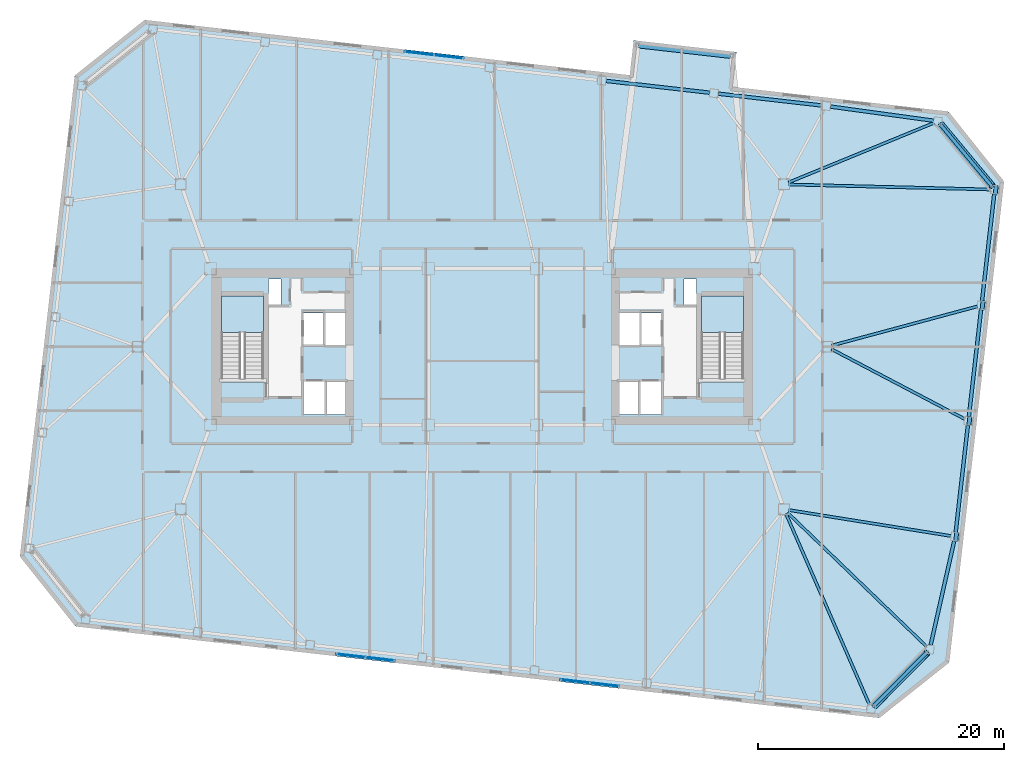
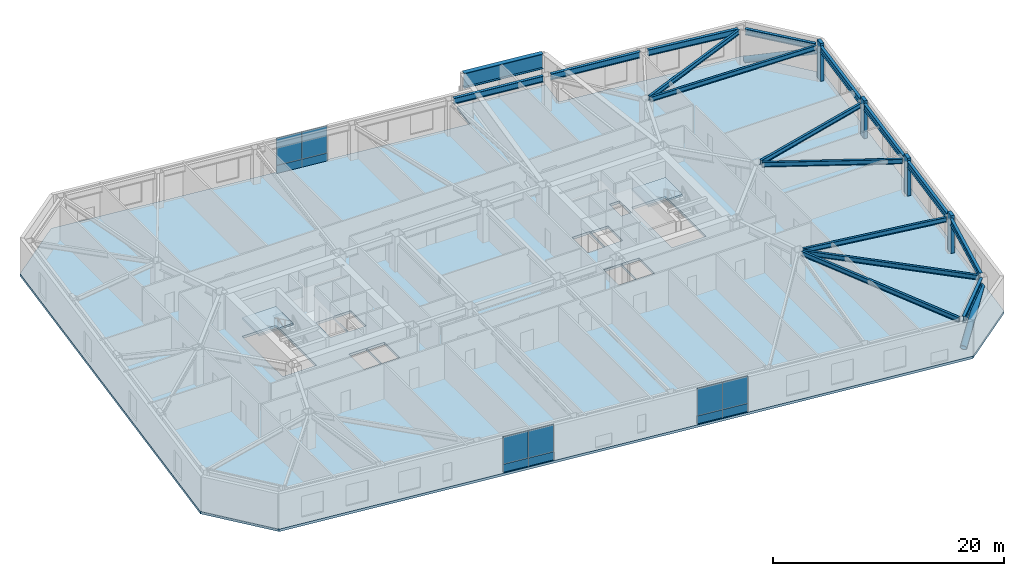
# One storey, part 11 of 22: 17 beams, 12 plates, 6 members, 3 slabs, 5 elements without a shape of their own.
"""IFC4 building model written with IfcOpenShell, lengths in metres."""

import ifcopenshell
import ifcopenshell.guid

model = None  # the IFC model being written
_history = None  # IfcOwnerHistory: only IFC2X3 demands one
_inside = {}  # id of a spatial element -> (the spatial element, [elements in it])
_under = {}  # id of a project, library or spatial element -> (it, [spatial elements below it])
_declared = {}  # id of a project -> (the project, [libraries it declares])
_typed = {}  # id of a type object -> (the type object, [elements of that type])
_made_of = {}  # id of a material, layer set ... -> (it, [elements and type objects made of it])


def new_model(schema):
    """Start an empty IFC model of exactly this schema.

    Asked for "IFC4X3", IfcOpenShell would pick the latest addendum, in which some entities
    have other attributes; the version numbers below select the first issue.
    IFC2X3 requires an IfcOwnerHistory on every rooted entity: one is made here for all.
    """
    global model, _history
    if schema == "IFC4X3":
        model = ifcopenshell.file(schema_version=(4, 3, 0, 0))
    else:
        model = ifcopenshell.file(schema=schema)
    _inside.clear()
    _under.clear()
    _declared.clear()
    _typed.clear()
    _made_of.clear()
    _history = None
    if model.schema == "IFC2X3":
        org = make("IfcOrganization", Name="unknown")
        user = make(
            "IfcPersonAndOrganization",
            ThePerson=make("IfcPerson", FamilyName="unknown"),
            TheOrganization=org,
        )
        app = make(
            "IfcApplication",
            ApplicationDeveloper=org,
            Version="unknown",
            ApplicationFullName="unknown",
            ApplicationIdentifier="unknown",
        )
        _history = make(
            "IfcOwnerHistory",
            OwningUser=user,
            OwningApplication=app,
            ChangeAction="ADDED",
            CreationDate=0,
        )
    return model


def make(cls, **values):
    """One entity of the class cls with the attributes given. An attribute that is None is left unset."""
    return model.create_entity(
        cls, **{name: value for name, value in values.items() if value is not None}
    )


def rooted(cls, **values):
    """An entity with a GlobalId (a new one), such as an element, a storey or a relation."""
    return make(cls, GlobalId=ifcopenshell.guid.new(), OwnerHistory=_history, **values)


def si_unit(unit_type, name, prefix=None):
    """IfcSIUnit, for example si_unit("LENGTHUNIT", "METRE", prefix="MILLI")."""
    return make("IfcSIUnit", UnitType=unit_type, Prefix=prefix, Name=name)


def assignment(units):
    """IfcUnitAssignment: the units of a project."""
    return None if units is None else make("IfcUnitAssignment", Units=units)


def point(xyz):
    """IfcCartesianPoint."""
    return None if xyz is None else make("IfcCartesianPoint", Coordinates=xyz)


def direction(xyz):
    """IfcDirection."""
    return None if xyz is None else make("IfcDirection", DirectionRatios=xyz)


def frame(location, z_axis=None, x_axis=None):
    """IfcAxis2Placement3D, a coordinate frame: its origin and axes. An axis left out is left unset."""
    return make(
        "IfcAxis2Placement3D",
        Location=point(location),
        Axis=direction(z_axis),
        RefDirection=direction(x_axis),
    )


def frame_2d(location, x_axis=None):
    """IfcAxis2Placement2D, a coordinate frame in the plane: its origin and x axis."""
    return make(
        "IfcAxis2Placement2D", Location=point(location), RefDirection=direction(x_axis)
    )


def origin():
    """The frame at (0, 0, 0) with its axes left unset."""
    return frame((0.0, 0.0, 0.0))


def origin_2d():
    """The frame at (0, 0) in the plane with its x axis left unset."""
    return frame_2d((0.0, 0.0))


def place(relative_to, where):
    """IfcLocalPlacement: puts the frame where relative to a parent placement (None: the world)."""
    return make(
        "IfcLocalPlacement", PlacementRelTo=relative_to, RelativePlacement=where
    )


def context(
    kind, dimensions, precision=None, world=None, true_north=None, identifier=None
):
    """IfcGeometricRepresentationContext, for example the 3D "Model" context."""
    return make(
        "IfcGeometricRepresentationContext",
        ContextIdentifier=identifier,
        ContextType=kind,
        CoordinateSpaceDimension=dimensions,
        Precision=precision,
        WorldCoordinateSystem=world,
        TrueNorth=true_north,
    )


def subcontext(parent, identifier, kind, view, scale=None):
    """IfcGeometricRepresentationSubContext, for example "Body" below "Model"."""
    return make(
        "IfcGeometricRepresentationSubContext",
        ContextIdentifier=identifier,
        ContextType=kind,
        ParentContext=parent,
        TargetScale=scale,
        TargetView=view,
    )


def project(units=None, contexts=None):
    """IfcProject with its units and contexts."""
    return rooted(
        "IfcProject",
        Name="project",
        RepresentationContexts=contexts,
        UnitsInContext=assignment(units),
    )


def spatial(cls, under=None, at=None, **own):
    """A site, building, storey or space (cls), placed at a placement, below another one or the project."""
    s = rooted(cls, ObjectPlacement=at, **own)
    if under is not None:
        _under.setdefault(under.id(), (under, []))[1].append(s)
    return s


def polyline(points):
    """IfcPolyline through the points."""
    return make("IfcPolyline", Points=[point(p) for p in points])


def profile(cls, at=None, kind="AREA", **sizes):
    """A parametric profile (cls). Its sizes go by their IFC names, for example OverallWidth=200.0."""
    return make(cls, ProfileType=kind, Position=at, **sizes)


def rectangle(**sizes):
    """IfcRectangleProfileDef."""
    return profile("IfcRectangleProfileDef", **sizes)


def hollow_circle(**sizes):
    """IfcCircleHollowProfileDef."""
    return profile("IfcCircleHollowProfileDef", **sizes)


def i_section(**sizes):
    """IfcIShapeProfileDef."""
    return profile("IfcIShapeProfileDef", **sizes)


def outline(outer, holes=None, kind="AREA"):
    """IfcArbitraryClosedProfileDef: a profile drawn as a closed curve; with holes, ...WithVoids."""
    if holes is None:
        return make("IfcArbitraryClosedProfileDef", ProfileType=kind, OuterCurve=outer)
    return make(
        "IfcArbitraryProfileDefWithVoids",
        ProfileType=kind,
        OuterCurve=outer,
        InnerCurves=holes,
    )


def extrude(swept, where, along, depth):
    """IfcExtrudedAreaSolid: the profile swept, set in the frame where, extruded along a direction by depth."""
    return make(
        "IfcExtrudedAreaSolid",
        SweptArea=swept,
        Position=where,
        ExtrudedDirection=direction(along),
        Depth=depth,
    )


def shape(context_of_items, identifier, shape_type, items):
    """IfcShapeRepresentation: the items that make up one representation, for example the "Body"."""
    return make(
        "IfcShapeRepresentation",
        ContextOfItems=context_of_items,
        RepresentationIdentifier=identifier,
        RepresentationType=shape_type,
        Items=items,
    )


def material(Name=None, Category=None):
    """IfcMaterial."""
    return make("IfcMaterial", Name=Name, Category=Category)


def layer(
    of_material, thickness, ventilated=None, Name=None, Category=None, Priority=None
):
    """IfcMaterialLayer: one layer of a wall or slab, of a material (None: an air gap)."""
    return make(
        "IfcMaterialLayer",
        Material=of_material,
        LayerThickness=thickness,
        IsVentilated=ventilated,
        Name=Name,
        Category=Category,
        Priority=Priority,
    )


def layer_set(layers, Name=None):
    """IfcMaterialLayerSet."""
    return make("IfcMaterialLayerSet", MaterialLayers=layers, LayerSetName=Name)


def material_profile(
    of_material, cross_section, Name=None, Category=None, Priority=None
):
    """IfcMaterialProfile: a cross section and its material."""
    return make(
        "IfcMaterialProfile",
        Name=Name,
        Material=of_material,
        Profile=cross_section,
        Priority=Priority,
        Category=Category,
    )


def profile_set(profiles, Name=None, composite=None):
    """IfcMaterialProfileSet."""
    return make(
        "IfcMaterialProfileSet",
        Name=Name,
        MaterialProfiles=profiles,
        CompositeProfile=composite,
    )


def made_of(thing, what):
    """Note that an element or type object is made of a material, layer set ...; save() writes the relation."""
    if what is not None:
        _made_of.setdefault(what.id(), (what, []))[1].append(thing)
    return thing


def type_object(cls, material=None, **own):
    """A type object (cls), such as IfcWallType, which elements share."""
    return made_of(rooted(cls, **own), material)


def element(
    cls,
    number,
    at=None,
    inside=None,
    cuts=None,
    type_object=None,
    material=None,
    context=None,
    identifier="Body",
    shape_type=None,
    held_by="IfcProductDefinitionShape",
    body=None,
    shapes=None,
    **own,
):
    """One element of the class cls, such as IfcWall. Its Tag is "e" and its number.

    at: its placement. inside: the storey or other place that contains it. cuts: it is an
    opening in that element (IfcRelVoidsElement). A single representation is given by context,
    identifier, shape_type and body (its items); several are given by shapes. held_by: the class
    of the entity that holds the representations. save() writes the other relations.
    """
    e = rooted(cls, Tag="e%d" % number, ObjectPlacement=at, **own)
    if body is not None:
        shapes = [shape(context, identifier, shape_type, body)]
    if shapes is not None:
        e.Representation = make(held_by, Representations=shapes)
    if inside is not None:
        _inside.setdefault(inside.id(), (inside, []))[1].append(e)
    if cuts is not None:
        rooted(
            "IfcRelVoidsElement", RelatingBuildingElement=cuts, RelatedOpeningElement=e
        )
    if type_object is not None:
        _typed.setdefault(type_object.id(), (type_object, []))[1].append(e)
    return made_of(e, material)


def aggregate(whole, parts):
    """IfcRelAggregates: a whole, such as a stair, and the parts it consists of."""
    return rooted("IfcRelAggregates", RelatingObject=whole, RelatedObjects=parts)


def save(model, path):
    """Write the relations noted so far, then the file.

    IfcRelAggregates (storeys below a building ...), IfcRelContainedInSpatialStructure (elements
    in a storey), IfcRelDefinesByType, IfcRelAssociatesMaterial and IfcRelDeclares: one each for
    every whole, place, type object, material and project.
    """
    for whole, parts in _under.values():
        aggregate(whole, parts)
    for where, things in _inside.values():
        rooted(
            "IfcRelContainedInSpatialStructure",
            RelatedElements=things,
            RelatingStructure=where,
        )
    for kind, things in _typed.values():
        rooted("IfcRelDefinesByType", RelatedObjects=things, RelatingType=kind)
    for what, things in _made_of.values():
        rooted("IfcRelAssociatesMaterial", RelatedObjects=things, RelatingMaterial=what)
    for by, libraries in _declared.values():
        rooted("IfcRelDeclares", RelatingContext=by, RelatedDefinitions=libraries)
    model.write(path)


model = new_model("IFC4")

# Units and contexts
model_context = context("Model", 3, precision=1e-05, world=origin(), true_north=direction((0.0, 1.0)))
body_context = subcontext(model_context, "Body", "Model", "MODEL_VIEW")
ifc_project = project(units=[si_unit("LENGTHUNIT", "METRE"), si_unit("AREAUNIT", "SQUARE_METRE"), si_unit("VOLUMEUNIT", "CUBIC_METRE"), si_unit("PLANEANGLEUNIT", "RADIAN"), si_unit("MASSUNIT", "GRAM", prefix="KILO")], contexts=[model_context])

# Site, building, storey
site_placement = place(None, origin())
site = spatial("IfcSite", under=ifc_project, at=site_placement, CompositionType="ELEMENT")
building_placement = place(site_placement, origin())
building = spatial("IfcBuilding", under=site, at=building_placement, Name="Tavrogorsk Clinical Tower", CompositionType="ELEMENT")
storey_placement = place(building_placement, frame((0.0, 0.0, 117.39990234375)))
storey = spatial("IfcBuildingStorey", under=building, at=storey_placement, Name="L26", CompositionType="ELEMENT", Elevation=117.39990234375)

# Members
ifc_material_1 = material(Name="Structural steel S440", Category="steel")
ifc_material_profile_1 = material_profile(ifc_material_1, hollow_circle(Radius=0.304931640625, WallThickness=0.02490234375, at=origin_2d()), Name="CHS-610x25")
ifc_profile_set_1 = profile_set([ifc_material_profile_1], Name="Structural steel S440")
member_type_1 = type_object("IfcMemberType", Name="ExoBrace_CHS610", PredefinedType="BRACE", material=ifc_profile_set_1)
member_1_placement = place(storey_placement, frame((31.81640625, -29.1650390625, 0.4345703125), z_axis=(0.651430241483, 0.659222469252, 0.375585378463), x_axis=(-0.711298174517, 0.702890394677, 0.0)))
element("IfcMember", 1, at=member_1_placement, inside=storey, type_object=member_type_1, Name="L26 Corner Exoskeleton Brace S8-E1", PredefinedType="BRACE", context=body_context, shape_type="SweptSolid", body=[
    extrude(hollow_circle(Radius=0.304931640625, WallThickness=0.02490234375, at=origin_2d()), origin(), (0.0, 0.0, 1.0), 6.57958984375),
])
member_2_placement = place(storey_placement, frame((37.2109375, 18.06640625, 0.427001953125), z_axis=(0.598616328588, -0.718269947263, 0.354607915882), x_axis=(0.768190751014, 0.640221032189, 0.0)))
element("IfcMember", 2, at=member_2_placement, inside=storey, type_object=member_type_1, Name="L26 Corner Exoskeleton Brace E5-N1", PredefinedType="BRACE", context=body_context, shape_type="SweptSolid", body=[
    extrude(hollow_circle(Radius=0.304931640625, WallThickness=0.02490234375, at=origin_2d()), origin(), (0.0, 0.0, 1.0), 7.0107421875),
])

# Beams
ifc_material_2 = material(Name="Structural steel S355", Category="steel")
ifc_material_profile_2 = material_profile(ifc_material_2, i_section(OverallWidth=0.219970703125, OverallDepth=0.5, WebThickness=0.012939453125, FlangeThickness=0.02001953125, at=origin_2d()), Name="B-500x220x13x20")
ifc_profile_set_2 = profile_set([ifc_material_profile_2], Name="Structural steel S355")
beam_type_1 = type_object("IfcBeamType", Name="FloorBeam_B500", PredefinedType="BEAM", material=ifc_profile_set_2)
beam_1_placement = place(storey_placement, frame((24.664306640625, -13.57568359375, 3.489990234375), z_axis=(0.400586354613, -0.916259009504, 0.0), x_axis=(0.916259009504, 0.400586354613, 0.0)))
element("IfcBeam", 3, at=beam_1_placement, inside=storey, type_object=beam_type_1, Name="L26 Radial Floor Beam S8", PredefinedType="BEAM", context=body_context, shape_type="SweptSolid", body=[
    extrude(i_section(OverallWidth=0.219970703125, OverallDepth=0.5, WebThickness=0.012939453125, FlangeThickness=0.02001953125, at=origin_2d()), origin(), (0.0, 0.0, 1.0), 16.91357421875),
])
beam_2_placement = place(storey_placement, frame((24.87939453125, 13.35546875, 3.489990234375), z_axis=(0.925250223374, 0.379357383143, 0.0), x_axis=(-0.379357383143, 0.925250223374, 0.0)))
element("IfcBeam", 4, at=beam_2_placement, inside=storey, type_object=beam_type_1, Name="L26 Radial Floor Beam N1", PredefinedType="BEAM", context=body_context, shape_type="SweptSolid", body=[
    extrude(i_section(OverallWidth=0.219970703125, OverallDepth=0.5, WebThickness=0.012939453125, FlangeThickness=0.02001953125, at=origin_2d()), origin(), (0.0, 0.0, 1.0), 12.738037109375),
])
beam_3_placement = place(storey_placement, frame((24.79541015625, -13.484375, 3.489990234375), z_axis=(0.720494740362, -0.693460401977, 0.0), x_axis=(0.693460401977, 0.720494740362, 0.0)))
element("IfcBeam", 5, at=beam_3_placement, inside=storey, type_object=beam_type_1, Name="L26 Radial Floor Beam E1", PredefinedType="BEAM", context=body_context, shape_type="SweptSolid", body=[
    extrude(i_section(OverallWidth=0.219970703125, OverallDepth=0.5, WebThickness=0.012939453125, FlangeThickness=0.02001953125, at=origin_2d()), origin(), (0.0, 0.0, 1.0), 15.659423828125),
])
beam_4_placement = place(storey_placement, frame((24.90478515625, -13.2646484375, 3.489990234375), z_axis=(0.987456527754, -0.157891120067, 0.0), x_axis=(0.157891120067, 0.987456527754, 0.0)))
element("IfcBeam", 6, at=beam_4_placement, inside=storey, type_object=beam_type_1, Name="L26 Radial Floor Beam E2", PredefinedType="BEAM", context=body_context, shape_type="SweptSolid", body=[
    extrude(i_section(OverallWidth=0.219970703125, OverallDepth=0.5, WebThickness=0.012939453125, FlangeThickness=0.02001953125, at=origin_2d()), origin(), (0.0, 0.0, 1.0), 13.31787109375),
])
beam_5_placement = place(storey_placement, frame((28.363037109375, -0.1904296875, 3.489990234375), z_axis=(0.885467298335, -0.464701693111, 0.0), x_axis=(0.464701693111, 0.885467298335, 0.0)))
element("IfcBeam", 7, at=beam_5_placement, inside=storey, type_object=beam_type_1, Name="L26 Radial Floor Beam E3", PredefinedType="BEAM", context=body_context, shape_type="SweptSolid", body=[
    extrude(i_section(OverallWidth=0.219970703125, OverallDepth=0.5, WebThickness=0.012939453125, FlangeThickness=0.02001953125, at=origin_2d()), origin(), (0.0, 0.0, 1.0), 12.197021484375),
])
beam_6_placement = place(storey_placement, frame((28.39599609375, 0.1064453125, 3.489990234375), z_axis=(0.965705720144, 0.259639099677, 0.0), x_axis=(-0.259639099677, 0.965705720144, 0.0)))
element("IfcBeam", 8, at=beam_6_placement, inside=storey, type_object=beam_type_1, Name="L26 Radial Floor Beam E4", PredefinedType="BEAM", context=body_context, shape_type="SweptSolid", body=[
    extrude(i_section(OverallWidth=0.219970703125, OverallDepth=0.5, WebThickness=0.012939453125, FlangeThickness=0.02001953125, at=origin_2d()), origin(), (0.0, 0.0, 1.0), 12.228759765625),
])
beam_7_placement = place(storey_placement, frame((24.909912109375, 13.189697265625, 3.489990234375), z_axis=(0.999690121031, -0.024893009314, 0.0), x_axis=(0.024893009314, 0.999690121031, 0.0)))
element("IfcBeam", 9, at=beam_7_placement, inside=storey, type_object=beam_type_1, Name="L26 Radial Floor Beam E5", PredefinedType="BEAM", context=body_context, shape_type="SweptSolid", body=[
    extrude(i_section(OverallWidth=0.219970703125, OverallDepth=0.5, WebThickness=0.012939453125, FlangeThickness=0.02001953125, at=origin_2d()), origin(), (0.0, 0.0, 1.0), 16.359130859375),
])

# Members
ifc_material_3 = material(Name="Precast concrete B45 with limestone cladding", Category="masonry")
ifc_material_profile_3 = material_profile(ifc_material_3, rectangle(XDim=0.320068359375, YDim=0.719970703125, at=origin_2d()), Name="LIMESTONE-FIN-320x720")
ifc_profile_set_3 = profile_set([ifc_material_profile_3], Name="Precast concrete B45 with limestone cladding")
member_type_2 = type_object("IfcMemberType", Name="LimestonePleatFin_320x720", PredefinedType="USERDEFINED", material=ifc_profile_set_3)
for number, where, z_axis, x_axis, name in (
    (10, (38.48876953125, -15.432861328125, 0.0), (0.0, 0.0, 1.0), (0.993571855677, -0.113203213768, 0.0), "L26 E Pleated Stone Fin 1"),
    (11, (39.5595703125, -6.03369140625, 0.0), (0.0, 0.0, 1.0), (0.993571855677, -0.113203213768, 0.0), "L26 E Pleated Stone Fin 2"),
    (12, (40.63037109375, 3.365234375, 0.0), (0.0, 0.0, 1.0), (0.993571855677, -0.113203213768, 0.0), "L26 E Pleated Stone Fin 3"),
    (13, (41.701416015625, 12.7646484375, 0.0), (0.0, 0.0, 1.0), (0.993571855677, -0.113203213768, 0.0), "L26 E Pleated Stone Fin 4"),
):
    element("IfcMember", number, at=place(storey_placement, frame(where, z_axis=z_axis, x_axis=x_axis)), inside=storey, type_object=member_type_2, Name=name, ObjectType="FIN", PredefinedType="USERDEFINED", context=body_context, shape_type="SweptSolid", body=[
        extrude(rectangle(XDim=0.320068359375, YDim=0.719970703125, at=origin_2d()), origin(), (0.0, 0.0, 1.0), 4.0),
    ])

# Beams
ifc_material_4 = material(Name="Structural steel S390", Category="steel")
ifc_material_profile_4 = material_profile(ifc_material_4, i_section(OverallWidth=0.280029296875, OverallDepth=0.64990234375, WebThickness=0.01611328125, FlangeThickness=0.02490234375, at=origin_2d()), Name="B-650x280x16x25")
ifc_profile_set_4 = profile_set([ifc_material_profile_4], Name="Structural steel S390")
beam_type_2 = type_object("IfcBeamType", Name="SpandrelBeam_B650", PredefinedType="SPANDREL", material=ifc_profile_set_4)
beam_8_placement = place(storey_placement, frame((31.834716796875, -29.146240234375, 3.4150390625), z_axis=(0.702934929184, 0.711254163667, 0.0), x_axis=(-0.711254163667, 0.702934929184, 0.0)))
element("IfcBeam", 14, at=beam_8_placement, inside=storey, type_object=beam_type_2, Name="L26 Perimeter Spandrel S8-E1", PredefinedType="SPANDREL", context=body_context, shape_type="SweptSolid", body=[
    extrude(i_section(OverallWidth=0.280029296875, OverallDepth=0.64990234375, WebThickness=0.01611328125, FlangeThickness=0.02490234375, at=origin_2d()), origin(), (0.0, 0.0, 1.0), 6.04541015625),
])
beam_9_placement = place(storey_placement, frame((36.414794921875, -24.242431640625, 3.4150390625), z_axis=(0.220602599501, 0.975363774749, 0.0), x_axis=(-0.975363774749, 0.220602599501, 0.0)))
element("IfcBeam", 15, at=beam_9_placement, inside=storey, type_object=beam_type_2, Name="L26 Perimeter Spandrel E1-E2", PredefinedType="SPANDREL", context=body_context, shape_type="SweptSolid", body=[
    extrude(i_section(OverallWidth=0.280029296875, OverallDepth=0.64990234375, WebThickness=0.01611328125, FlangeThickness=0.02490234375, at=origin_2d()), origin(), (0.0, 0.0, 1.0), 8.68310546875),
])
for number, where, z_axis, x_axis, name in (
    (16, (38.44970703125, -15.068115234375, 3.4150390625), (0.113192226434, 0.993573107464, 0.0), (-0.993573107464, 0.113192226434, 0.0), "L26 Perimeter Spandrel E2-E3"),
    (17, (39.520751953125, -5.6689453125, 3.4150390625), (0.113192226434, 0.993573107464, 0.0), (-0.993573107464, 0.113192226434, 0.0), "L26 Perimeter Spandrel E3-E4"),
):
    element("IfcBeam", number, at=place(storey_placement, frame(where, z_axis=z_axis, x_axis=x_axis)), inside=storey, type_object=beam_type_2, Name=name, PredefinedType="SPANDREL", context=body_context, shape_type="SweptSolid", body=[
        extrude(i_section(OverallWidth=0.280029296875, OverallDepth=0.64990234375, WebThickness=0.01611328125, FlangeThickness=0.02490234375, at=origin_2d()), origin(), (0.0, 0.0, 1.0), 8.743896484375),
    ])
beam_10_placement = place(storey_placement, frame((40.591552734375, 3.72998046875, 3.4150390625), z_axis=(0.113189086379, 0.993573465188, 0.0), x_axis=(-0.993573465188, 0.113189086379, 0.0)))
element("IfcBeam", 18, at=beam_10_placement, inside=storey, type_object=beam_type_2, Name="L26 Perimeter Spandrel E4-E5", PredefinedType="SPANDREL", context=body_context, shape_type="SweptSolid", body=[
    extrude(i_section(OverallWidth=0.280029296875, OverallDepth=0.64990234375, WebThickness=0.01611328125, FlangeThickness=0.02490234375, at=origin_2d()), origin(), (0.0, 0.0, 1.0), 8.744140625),
])
beam_11_placement = place(storey_placement, frame((41.392578125, 13.048583984375, 3.4150390625), z_axis=(-0.640191778751, 0.768215130299, 0.0), x_axis=(-0.768215130299, -0.640191778751, 0.0)))
element("IfcBeam", 19, at=beam_11_placement, inside=storey, type_object=beam_type_2, Name="L26 Perimeter Spandrel E5-N1", PredefinedType="SPANDREL", context=body_context, shape_type="SweptSolid", body=[
    extrude(i_section(OverallWidth=0.280029296875, OverallDepth=0.64990234375, WebThickness=0.01611328125, FlangeThickness=0.02490234375, at=origin_2d()), origin(), (0.0, 0.0, 1.0), 6.508544921875),
])
beam_12_placement = place(storey_placement, frame((36.641845703125, 18.3720703125, 3.4150390625), z_axis=(-0.990722121657, 0.135903192232, 0.0), x_axis=(-0.135903192232, -0.990722121657, 0.0)))
element("IfcBeam", 20, at=beam_12_placement, inside=storey, type_object=beam_type_2, Name="L26 Perimeter Spandrel N1-N2", PredefinedType="SPANDREL", context=body_context, shape_type="SweptSolid", body=[
    extrude(i_section(OverallWidth=0.280029296875, OverallDepth=0.64990234375, WebThickness=0.01611328125, FlangeThickness=0.02490234375, at=origin_2d()), origin(), (0.0, 0.0, 1.0), 8.439697265625),
])
beam_13_placement = place(storey_placement, frame((27.5703125, 19.608154296875, 3.4150390625), z_axis=(-0.993569819641, 0.113221082395, 0.0), x_axis=(-0.113221082395, -0.993569819641, 0.0)))
element("IfcBeam", 21, at=beam_13_placement, inside=storey, type_object=beam_type_2, Name="L26 Perimeter Spandrel N2-N3", PredefinedType="SPANDREL", context=body_context, shape_type="SweptSolid", body=[
    extrude(i_section(OverallWidth=0.280029296875, OverallDepth=0.64990234375, WebThickness=0.01611328125, FlangeThickness=0.02490234375, at=origin_2d()), origin(), (0.0, 0.0, 1.0), 8.46142578125),
])
beam_14_placement = place(storey_placement, frame((18.451904296875, 20.647216796875, 3.4150390625), z_axis=(-0.99357232562, 0.113199089054, 0.0), x_axis=(-0.113199089054, -0.99357232562, 0.0)))
element("IfcBeam", 22, at=beam_14_placement, inside=storey, type_object=beam_type_2, Name="L26 Perimeter Spandrel N3-N4", PredefinedType="SPANDREL", context=body_context, shape_type="SweptSolid", body=[
    extrude(i_section(OverallWidth=0.280029296875, OverallDepth=0.64990234375, WebThickness=0.01611328125, FlangeThickness=0.02490234375, at=origin_2d()), origin(), (0.0, 0.0, 1.0), 8.4609375),
])
ifc_material_5 = material(Name="Structural steel S440", Category="steel")
ifc_material_profile_5 = material_profile(ifc_material_5, i_section(OverallWidth=0.449951171875, OverallDepth=1.60009765625, WebThickness=0.031982421875, FlangeThickness=0.050048828125, at=origin_2d()), Name="DK-1600x450x32x50")
ifc_profile_set_5 = profile_set([ifc_material_profile_5], Name="Structural steel S440")
beam_type_3 = type_object("IfcBeamType", Name="TransferGirder_DK1600", PredefinedType="USERDEFINED", material=ifc_profile_set_5)
beam_15_placement = place(storey_placement, frame((12.713623046875, 24.50146484375, 2.940185546875), z_axis=(0.993572168801, -0.113200465477, 0.0), x_axis=(0.113200465477, 0.993572168801, 0.0)))
element("IfcBeam", 23, at=beam_15_placement, inside=storey, type_object=beam_type_3, Name="L26 Day-Room Front Edge Beam DRB-04", ObjectType="GIRDER", PredefinedType="USERDEFINED", context=body_context, shape_type="SweptSolid", body=[
    extrude(i_section(OverallWidth=0.449951171875, OverallDepth=1.60009765625, WebThickness=0.031982421875, FlangeThickness=0.050048828125, at=origin_2d()), origin(), (0.0, 0.0, 1.0), 7.4599609375),
])

# Curtain wall, plates
ifc_material_6 = material(Name="Anodised aluminium and triple IGU glazing", Category="aluminium")
ifc_layer_1 = layer(ifc_material_6, 0.179931640625)
ifc_layer_set_1 = layer_set([ifc_layer_1], Name="Anodised aluminium and triple IGU glazing")
curtain_wall_type_1 = type_object("IfcCurtainWallType", Name="CW3_SouthSlot", PredefinedType="NOTDEFINED", material=ifc_layer_set_1)
curtain_wall_1_placement = place(storey_placement, origin())
curtain_wall_1 = element("IfcCurtainWall", 24, at=curtain_wall_1_placement, inside=storey, type_object=curtain_wall_type_1, Name="L26 Curtain Wall CW-L26-S-SLOT-1", PredefinedType="NOTDEFINED")
ifc_material_7 = material(Name="Honed Podolsk limestone spandrel panel", Category="masonry")
ifc_layer_2 = layer(ifc_material_7, 0.080078125)
ifc_layer_set_2 = layer_set([ifc_layer_2], Name="Honed Podolsk limestone spandrel panel")
plate_type_1 = type_object("IfcPlateType", Name="CwSpandrelStonePanel_80", PredefinedType="CURTAIN_PANEL", material=ifc_layer_set_2)
plate_1_placement = place(storey_placement, frame((-10.70654296875, -25.095947265625, 0.002197265625), z_axis=(0.0, 0.0, 1.0), x_axis=(0.993571855603, -0.11320321441, 0.0)))
plate_1 = element("IfcPlate", 25, at=plate_1_placement, type_object=plate_type_1, Name="CW-L26-S-SLOT-1 Stone Spandrel Panel 1", PredefinedType="CURTAIN_PANEL", context=body_context, shape_type="SweptSolid", body=[
    extrude(rectangle(XDim=2.39208984375, YDim=0.080078125, at=origin_2d()), origin(), (0.0, 0.0, 1.0), 0.8359375),
])
plate_2_placement = place(storey_placement, frame((-8.30615234375, -25.36962890625, 0.002197265625), z_axis=(0.0, 0.0, 1.0), x_axis=(0.993571855603, -0.11320321441, 0.0)))
plate_2 = element("IfcPlate", 26, at=plate_2_placement, type_object=plate_type_1, Name="CW-L26-S-SLOT-1 Stone Spandrel Panel 2", PredefinedType="CURTAIN_PANEL", context=body_context, shape_type="SweptSolid", body=[
    extrude(rectangle(XDim=2.39208984375, YDim=0.080078125, at=origin_2d()), origin(), (0.0, 0.0, 1.0), 0.8359375),
])

curtain_wall_2_placement = place(storey_placement, origin())
curtain_wall_2 = element("IfcCurtainWall", 27, at=curtain_wall_2_placement, inside=storey, type_object=curtain_wall_type_1, Name="L26 Curtain Wall CW-L26-S-SLOT-2", PredefinedType="NOTDEFINED")
plate_3_placement = place(storey_placement, frame((7.52978515625, -27.173828125, 0.002197265625), z_axis=(0.0, 0.0, 1.0), x_axis=(0.993571858269, -0.113203191016, 0.0)))
plate_3 = element("IfcPlate", 28, at=plate_3_placement, type_object=plate_type_1, Name="CW-L26-S-SLOT-2 Stone Spandrel Panel 1", PredefinedType="CURTAIN_PANEL", context=body_context, shape_type="SweptSolid", body=[
    extrude(rectangle(XDim=2.39208984375, YDim=0.080078125, at=origin_2d()), origin(), (0.0, 0.0, 1.0), 0.8359375),
])
plate_4_placement = place(storey_placement, frame((9.93017578125, -27.447265625, 0.002197265625), z_axis=(0.0, 0.0, 1.0), x_axis=(0.993571858269, -0.113203191016, 0.0)))
plate_4 = element("IfcPlate", 29, at=plate_4_placement, type_object=plate_type_1, Name="CW-L26-S-SLOT-2 Stone Spandrel Panel 2", PredefinedType="CURTAIN_PANEL", context=body_context, shape_type="SweptSolid", body=[
    extrude(rectangle(XDim=2.39208984375, YDim=0.080078125, at=origin_2d()), origin(), (0.0, 0.0, 1.0), 0.8359375),
])

ifc_material_8 = material(Name="Anodised aluminium and triple IGU glazing", Category="aluminium")
ifc_layer_3 = layer(ifc_material_8, 0.179931640625)
ifc_layer_set_3 = layer_set([ifc_layer_3], Name="Anodised aluminium and triple IGU glazing")
curtain_wall_type_2 = type_object("IfcCurtainWallType", Name="CW2_NorthSlot", PredefinedType="NOTDEFINED", material=ifc_layer_set_3)
curtain_wall_3_placement = place(storey_placement, origin())
curtain_wall_3 = element("IfcCurtainWall", 30, at=curtain_wall_3_placement, inside=storey, type_object=curtain_wall_type_2, Name="L26 Curtain Wall CW-L26-N-SLOT-1", PredefinedType="NOTDEFINED")
plate_5_placement = place(storey_placement, frame((-2.729736328125, 23.57373046875, 0.002197265625), z_axis=(0.0, 0.0, 1.0), x_axis=(-0.993571858269, 0.113203191016, 0.0)))
plate_5 = element("IfcPlate", 31, at=plate_5_placement, type_object=plate_type_1, Name="CW-L26-N-SLOT-1 Stone Spandrel Panel 1", PredefinedType="CURTAIN_PANEL", context=body_context, shape_type="SweptSolid", body=[
    extrude(rectangle(XDim=2.39208984375, YDim=0.080078125, at=origin_2d()), origin(), (0.0, 0.0, 1.0), 0.8359375),
])
plate_6_placement = place(storey_placement, frame((-5.130126953125, 23.847412109375, 0.002197265625), z_axis=(0.0, 0.0, 1.0), x_axis=(-0.993571858269, 0.113203191016, 0.0)))
plate_6 = element("IfcPlate", 32, at=plate_6_placement, type_object=plate_type_1, Name="CW-L26-N-SLOT-1 Stone Spandrel Panel 2", PredefinedType="CURTAIN_PANEL", context=body_context, shape_type="SweptSolid", body=[
    extrude(rectangle(XDim=2.39208984375, YDim=0.080078125, at=origin_2d()), origin(), (0.0, 0.0, 1.0), 0.8359375),
])

# Plate
ifc_material_9 = material(Name="Triple low-E argon insulated glass", Category="glass")
ifc_layer_4 = layer(ifc_material_9, 0.048095703125)
ifc_layer_set_4 = layer_set([ifc_layer_4], Name="Triple low-E argon insulated glass")
plate_type_2 = type_object("IfcPlateType", Name="CwVisionGlassPanel_48", PredefinedType="CURTAIN_PANEL", material=ifc_layer_set_4)
plate_7_placement = place(storey_placement, frame((-10.70654296875, -25.095947265625, 0.862060546875), z_axis=(0.0, 0.0, 1.0), x_axis=(0.993571855603, -0.11320321441, 0.0)))
plate_7 = element("IfcPlate", 33, at=plate_7_placement, type_object=plate_type_2, Name="CW-L26-S-SLOT-1 Glazing Panel 1", PredefinedType="CURTAIN_PANEL", context=body_context, shape_type="SweptSolid", body=[
    extrude(rectangle(XDim=2.39208984375, YDim=0.048095703125, at=origin_2d()), origin(), (0.0, 0.0, 1.0), 2.8759765625),
])

plate_8_placement = place(storey_placement, frame((-8.30615234375, -25.36962890625, 0.862060546875), z_axis=(0.0, 0.0, 1.0), x_axis=(0.993571855603, -0.11320321441, 0.0)))
plate_8 = element("IfcPlate", 34, at=plate_8_placement, type_object=plate_type_2, Name="CW-L26-S-SLOT-1 Glazing Panel 2", PredefinedType="CURTAIN_PANEL", context=body_context, shape_type="SweptSolid", body=[
    extrude(rectangle(XDim=2.39208984375, YDim=0.048095703125, at=origin_2d()), origin(), (0.0, 0.0, 1.0), 2.8759765625),
])

aggregate(curtain_wall_1, [plate_1, plate_7, plate_2, plate_8])

plate_9_placement = place(storey_placement, frame((7.52978515625, -27.173828125, 0.862060546875), z_axis=(0.0, 0.0, 1.0), x_axis=(0.993571858269, -0.113203191016, 0.0)))
plate_9 = element("IfcPlate", 35, at=plate_9_placement, type_object=plate_type_2, Name="CW-L26-S-SLOT-2 Glazing Panel 1", PredefinedType="CURTAIN_PANEL", context=body_context, shape_type="SweptSolid", body=[
    extrude(rectangle(XDim=2.39208984375, YDim=0.048095703125, at=origin_2d()), origin(), (0.0, 0.0, 1.0), 2.8759765625),
])

plate_10_placement = place(storey_placement, frame((9.93017578125, -27.447265625, 0.862060546875), z_axis=(0.0, 0.0, 1.0), x_axis=(0.993571858269, -0.113203191016, 0.0)))
plate_10 = element("IfcPlate", 36, at=plate_10_placement, type_object=plate_type_2, Name="CW-L26-S-SLOT-2 Glazing Panel 2", PredefinedType="CURTAIN_PANEL", context=body_context, shape_type="SweptSolid", body=[
    extrude(rectangle(XDim=2.39208984375, YDim=0.048095703125, at=origin_2d()), origin(), (0.0, 0.0, 1.0), 2.8759765625),
])

aggregate(curtain_wall_2, [plate_3, plate_9, plate_4, plate_10])

plate_11_placement = place(storey_placement, frame((-2.729736328125, 23.57373046875, 0.862060546875), z_axis=(0.0, 0.0, 1.0), x_axis=(-0.993571858269, 0.113203191016, 0.0)))
plate_11 = element("IfcPlate", 37, at=plate_11_placement, type_object=plate_type_2, Name="CW-L26-N-SLOT-1 Glazing Panel 1", PredefinedType="CURTAIN_PANEL", context=body_context, shape_type="SweptSolid", body=[
    extrude(rectangle(XDim=2.39208984375, YDim=0.048095703125, at=origin_2d()), origin(), (0.0, 0.0, 1.0), 2.8759765625),
])

plate_12_placement = place(storey_placement, frame((-5.130126953125, 23.847412109375, 0.862060546875), z_axis=(0.0, 0.0, 1.0), x_axis=(-0.993571858269, 0.113203191016, 0.0)))
plate_12 = element("IfcPlate", 38, at=plate_12_placement, type_object=plate_type_2, Name="CW-L26-N-SLOT-1 Glazing Panel 2", PredefinedType="CURTAIN_PANEL", context=body_context, shape_type="SweptSolid", body=[
    extrude(rectangle(XDim=2.39208984375, YDim=0.048095703125, at=origin_2d()), origin(), (0.0, 0.0, 1.0), 2.8759765625),
])

aggregate(curtain_wall_3, [plate_5, plate_11, plate_6, plate_12])

# Stair, slab
ifc_material_10 = material(Name="Concrete B60", Category="concrete")
stair_type = type_object("IfcStairType", Name="CoreStairAssembly", PredefinedType="HALF_TURN_STAIR", material=ifc_material_10)
stair_1_placement = place(storey_placement, origin())
stair_1 = element("IfcStair", 39, at=stair_1_placement, inside=storey, type_object=stair_type, Name="L26 ST-W", PredefinedType="HALF_TURN_STAIR")
ifc_material_11 = material(Name="Concrete B60", Category="concrete")
ifc_layer_5 = layer(ifc_material_11, 0.199951171875)
ifc_layer_set_5 = layer_set([ifc_layer_5], Name="Concrete B60")
slab_type_1 = type_object("IfcSlabType", Name="StairLanding_200", PredefinedType="LANDING", material=ifc_layer_set_5)
slab_1_placement = place(storey_placement, frame((0.0, 0.0, 1.800048828125)))
slab_1 = element("IfcSlab", 40, at=slab_1_placement, type_object=slab_type_1, Name="ST-W landing 1", PredefinedType="LANDING", context=body_context, shape_type="SweptSolid", body=[
    extrude(outline(polyline([(-17.800048828125, 1.1650390625), (-17.800048828125, 4.125), (-21.199951171875, 4.125), (-21.199951171875, 1.1650390625), (-17.800048828125, 1.1650390625)])), origin(), (0.0, 0.0, 1.0), 0.199951171875),
])
aggregate(stair_1, [slab_1])

stair_2_placement = place(storey_placement, origin())
stair_2 = element("IfcStair", 41, at=stair_2_placement, inside=storey, type_object=stair_type, Name="L26 ST-E", PredefinedType="HALF_TURN_STAIR")
slab_2_placement = place(storey_placement, frame((0.0, 0.0, 1.800048828125)))
slab_2 = element("IfcSlab", 42, at=slab_2_placement, type_object=slab_type_1, Name="ST-E landing 1", PredefinedType="LANDING", context=body_context, shape_type="SweptSolid", body=[
    extrude(outline(polyline([(21.199951171875, 1.1650390625), (21.199951171875, 4.125), (17.800048828125, 4.125), (17.800048828125, 1.1650390625), (21.199951171875, 1.1650390625)])), origin(), (0.0, 0.0, 1.0), 0.199951171875),
])
aggregate(stair_2, [slab_2])

# Slab
ifc_material_12 = material(Name="Concrete B60", Category="concrete")
ifc_layer_6 = layer(ifc_material_12, 0.260009765625)
ifc_layer_set_6 = layer_set([ifc_layer_6], Name="Concrete B60")
slab_type_2 = type_object("IfcSlabType", Name="WardSlab_260", PredefinedType="FLOOR", material=ifc_layer_set_6)
slab_3_placement = place(storey_placement, frame((0.0, 0.0, -0.260009765625)))
element("IfcSlab", 43, at=slab_3_placement, inside=storey, type_object=slab_type_2, Name="L26 Structural Slab", PredefinedType="FLOOR", context=body_context, shape_type="SweptSolid", body=[
    extrude(outline(polyline([(37.796630859375, 19.12744140625), (42.37451171875, 13.372314453125), (37.93701171875, -25.57568359375), (32.181640625, -30.153564453125), (-32.99658203125, -22.7275390625), (-37.574462890625, -16.972412109375), (-33.136962890625, 21.9755859375), (-27.381591796875, 26.5537109375), (11.963623046875, 22.07080078125), (12.286376953125, 24.902587890625), (20.63232421875, 23.95166015625), (20.309814453125, 21.119873046875), (37.796630859375, 19.12744140625)]), holes=[polyline([(-17.800048828125, -2.8798828125), (-17.800048828125, 4.125), (-21.199951171875, 4.125), (-21.199951171875, -2.8798828125), (-17.800048828125, -2.8798828125)]), polyline([(21.199951171875, -2.8798828125), (21.199951171875, 4.125), (17.800048828125, 4.125), (17.800048828125, -2.8798828125), (21.199951171875, -2.8798828125)]), polyline([(-14.6201171875, 0.169921875), (-12.860107421875, 0.169921875), (-12.860107421875, 2.72998046875), (-14.6201171875, 2.72998046875), (-14.6201171875, 0.169921875)]), polyline([(-14.530029296875, -5.47998046875), (-12.77001953125, -5.47998046875), (-12.77001953125, -2.820068359375), (-14.530029296875, -2.820068359375), (-14.530029296875, -5.47998046875)]), polyline([(-12.72998046875, -5.47998046875), (-10.969970703125, -5.47998046875), (-10.969970703125, -2.820068359375), (-12.72998046875, -2.820068359375), (-12.72998046875, -5.47998046875)]), polyline([(-12.840087890625, 0.1201171875), (-11.080078125, 0.1201171875), (-11.080078125, 2.780029296875), (-12.840087890625, 2.780029296875), (-12.840087890625, 0.1201171875)]), polyline([(12.860107421875, 0.169921875), (14.6201171875, 0.169921875), (14.6201171875, 2.72998046875), (12.860107421875, 2.72998046875), (12.860107421875, 0.169921875)]), polyline([(12.77001953125, -5.47998046875), (14.530029296875, -5.47998046875), (14.530029296875, -2.820068359375), (12.77001953125, -2.820068359375), (12.77001953125, -5.47998046875)]), polyline([(10.969970703125, -5.47998046875), (12.72998046875, -5.47998046875), (12.72998046875, -2.820068359375), (10.969970703125, -2.820068359375), (10.969970703125, -5.47998046875)]), polyline([(11.080078125, 0.1201171875), (12.840087890625, 0.1201171875), (12.840087890625, 2.780029296875), (11.080078125, 2.780029296875), (11.080078125, 0.1201171875)]), polyline([(-17.3798828125, 3.449951171875), (-16.3798828125, 3.449951171875), (-16.3798828125, 5.5), (-17.3798828125, 5.5), (-17.3798828125, 3.449951171875)]), polyline([(16.3798828125, 3.449951171875), (17.3798828125, 3.449951171875), (17.3798828125, 5.5), (16.3798828125, 5.5), (16.3798828125, 3.449951171875)])]), origin(), (0.0, 0.0, 1.0), 0.260009765625),
])

save(model, "model.ifc")
